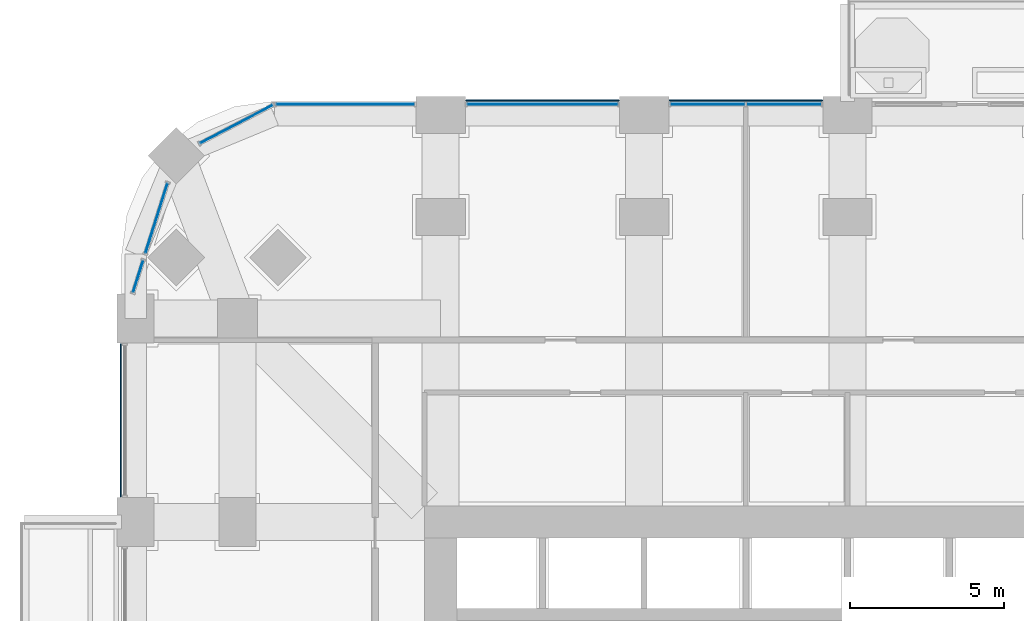
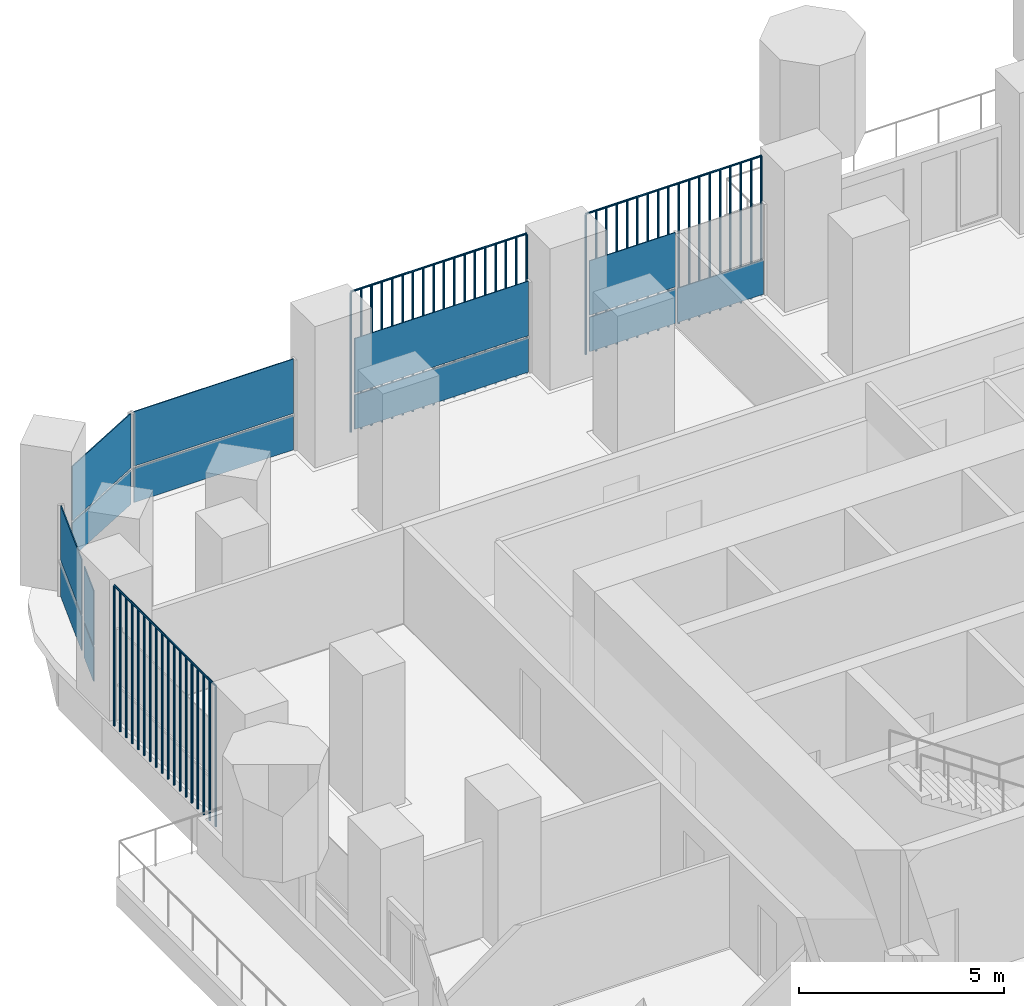
# One storey, part 12 of 22: 16 plates, 6 elements without a shape of their own.
"""IFC4 building model written with IfcOpenShell, lengths in metres."""

from ifc_helpers import new_model, si_unit, direction, frame, origin, origin_2d, place, context, subcontext, project, spatial, polyline, rectangle, outline, extrude, material, layer, layer_set, type_object, element, aggregate, save


model = new_model("IFC4")

# Units and contexts
model_context = context("Model", 3, precision=1e-05, world=origin(), true_north=direction((0.0, 1.0)))
body_context = subcontext(model_context, "Body", "Model", "MODEL_VIEW")
ifc_project = project(units=[si_unit("LENGTHUNIT", "METRE"), si_unit("AREAUNIT", "SQUARE_METRE"), si_unit("VOLUMEUNIT", "CUBIC_METRE"), si_unit("PLANEANGLEUNIT", "RADIAN"), si_unit("MASSUNIT", "GRAM", prefix="KILO")], contexts=[model_context])

# Site, building, storey
site_placement = place(None, origin())
site = spatial("IfcSite", under=ifc_project, at=site_placement, CompositionType="ELEMENT")
building_placement = place(site_placement, origin())
building = spatial("IfcBuilding", under=site, at=building_placement, Name="Cobogo Forest Laboratory Tower", CompositionType="ELEMENT")
storey_placement = place(building_placement, frame((0.0, 0.0, 94.800048828125)))
storey = spatial("IfcBuildingStorey", under=building, at=storey_placement, Name="L21", CompositionType="ELEMENT", Elevation=94.800048828125)

# Curtain wall, plates
ifc_material_1 = material(Name="Aluminium curtain wall", Category="aluminium")
curtain_wall_type = type_object("IfcCurtainWallType", Name="CW-1 unitised curtain wall, clear glazing, laboratory floors zones A and B", PredefinedType="USERDEFINED", material=ifc_material_1)
curtain_wall_1_placement = place(storey_placement, origin())
curtain_wall_1 = element("IfcCurtainWall", 1, at=curtain_wall_1_placement, inside=storey, type_object=curtain_wall_type, Name="Curtain wall 21 L21", ObjectType="UNITISED CURTAIN WALL", PredefinedType="USERDEFINED")
ifc_material_2 = material(Name="Clear insulated glass", Category="glass")
ifc_layer = layer(ifc_material_2, 0.028076171875)
ifc_layer_set = layer_set([ifc_layer], Name="GP-1 clear insulated glass unit 28")
plate_type_1 = type_object("IfcPlateType", Name="GP-1 clear insulated glass unit 28", PredefinedType="CURTAIN_PANEL", material=ifc_layer_set)
plate_1_placement = place(storey_placement, frame((24.3349609375, 46.550048828125, 0.0), z_axis=(0.0, 0.0, 1.0), x_axis=(-1.0, 0.0, 0.0)))
plate_1 = element("IfcPlate", 2, at=plate_1_placement, type_object=plate_type_1, Name="CW-1 panel 1.1", PredefinedType="CURTAIN_PANEL", context=body_context, shape_type="SweptSolid", body=[
    extrude(rectangle(XDim=2.409912109375, YDim=0.028076171875, at=origin_2d()), origin(), (0.0, 0.0, 1.0), 1.02001953125),
])
plate_2_placement = place(storey_placement, frame((21.864990234375, 46.550048828125, 0.0), z_axis=(0.0, 0.0, 1.0), x_axis=(-1.0, 0.0, 0.0)))
plate_2 = element("IfcPlate", 3, at=plate_2_placement, type_object=plate_type_1, Name="CW-1 panel 2.1", PredefinedType="CURTAIN_PANEL", context=body_context, shape_type="SweptSolid", body=[
    extrude(rectangle(XDim=2.409912109375, YDim=0.028076171875, at=origin_2d()), origin(), (0.0, 0.0, 1.0), 1.02001953125),
])
plate_3_placement = place(storey_placement, frame((21.864990234375, 46.550048828125, 1.079833984375), z_axis=(0.0, 0.0, 1.0), x_axis=(-1.0, 0.0, 0.0)))
plate_3 = element("IfcPlate", 4, at=plate_3_placement, type_object=plate_type_1, Name="CW-1 panel 2.2", PredefinedType="CURTAIN_PANEL", context=body_context, shape_type="SweptSolid", body=[
    extrude(rectangle(XDim=2.409912109375, YDim=0.028076171875, at=origin_2d()), origin(), (0.0, 0.0, 1.0), 1.6201171875),
])
aggregate(curtain_wall_1, [plate_1, plate_2, plate_3])

curtain_wall_2_placement = place(storey_placement, origin())
curtain_wall_2 = element("IfcCurtainWall", 5, at=curtain_wall_2_placement, inside=storey, type_object=curtain_wall_type, Name="Curtain wall 22 L21", ObjectType="UNITISED CURTAIN WALL", PredefinedType="USERDEFINED")
plate_4_placement = place(storey_placement, frame((16.5, 46.550048828125, 0.0), z_axis=(0.0, 0.0, 1.0), x_axis=(-1.0, 0.0, 0.0)))
plate_4 = element("IfcPlate", 6, at=plate_4_placement, type_object=plate_type_1, Name="CW-1 panel 1.1", PredefinedType="CURTAIN_PANEL", context=body_context, shape_type="SweptSolid", body=[
    extrude(rectangle(XDim=4.8798828125, YDim=0.028076171875, at=origin_2d()), origin(), (0.0, 0.0, 1.0), 1.02001953125),
])
plate_5_placement = place(storey_placement, frame((16.5, 46.550048828125, 1.079833984375), z_axis=(0.0, 0.0, 1.0), x_axis=(-1.0, 0.0, 0.0)))
plate_5 = element("IfcPlate", 7, at=plate_5_placement, type_object=plate_type_1, Name="CW-1 panel 1.2", PredefinedType="CURTAIN_PANEL", context=body_context, shape_type="SweptSolid", body=[
    extrude(rectangle(XDim=4.8798828125, YDim=0.028076171875, at=origin_2d()), origin(), (0.0, 0.0, 1.0), 1.6201171875),
])
aggregate(curtain_wall_2, [plate_4, plate_5])

curtain_wall_3_placement = place(storey_placement, origin())
curtain_wall_3 = element("IfcCurtainWall", 8, at=curtain_wall_3_placement, inside=storey, type_object=curtain_wall_type, Name="Curtain wall 23 L21", ObjectType="UNITISED CURTAIN WALL", PredefinedType="USERDEFINED")
plate_6_placement = place(storey_placement, frame((10.10009765625, 46.550048828125, 0.0), z_axis=(0.0, 0.0, 1.0), x_axis=(-1.0, 0.0, 0.0)))
plate_6 = element("IfcPlate", 9, at=plate_6_placement, type_object=plate_type_1, Name="CW-1 panel 1.1", PredefinedType="CURTAIN_PANEL", context=body_context, shape_type="SweptSolid", body=[
    extrude(rectangle(XDim=4.47998046875, YDim=0.028076171875, at=origin_2d()), origin(), (0.0, 0.0, 1.0), 1.02001953125),
])
plate_7_placement = place(storey_placement, frame((10.10009765625, 46.550048828125, 1.079833984375), z_axis=(0.0, 0.0, 1.0), x_axis=(-1.0, 0.0, 0.0)))
plate_7 = element("IfcPlate", 10, at=plate_7_placement, type_object=plate_type_1, Name="CW-1 panel 1.2", PredefinedType="CURTAIN_PANEL", context=body_context, shape_type="SweptSolid", body=[
    extrude(rectangle(XDim=4.47998046875, YDim=0.028076171875, at=origin_2d()), origin(), (0.0, 0.0, 1.0), 1.6201171875),
])
aggregate(curtain_wall_3, [plate_6, plate_7])

curtain_wall_4_placement = place(storey_placement, origin())
curtain_wall_4 = element("IfcCurtainWall", 11, at=curtain_wall_4_placement, inside=storey, type_object=curtain_wall_type, Name="Curtain wall 24 L21", ObjectType="UNITISED CURTAIN WALL", PredefinedType="USERDEFINED")
plate_8_placement = place(storey_placement, frame((6.57080078125, 45.90576171875, 0.0), z_axis=(0.0, 0.0, 1.0), x_axis=(-0.885686547075, -0.464283685186, 0.0)))
plate_8 = element("IfcPlate", 12, at=plate_8_placement, type_object=plate_type_1, Name="CW-1 panel 1.1", PredefinedType="CURTAIN_PANEL", context=body_context, shape_type="SweptSolid", body=[
    extrude(rectangle(XDim=2.655517578125, YDim=0.028076171875, at=origin_2d()), origin(), (0.0, 0.0, 1.0), 1.02001953125),
])
plate_9_placement = place(storey_placement, frame((6.57080078125, 45.90576171875, 1.079833984375), z_axis=(0.0, 0.0, 1.0), x_axis=(-0.885686547075, -0.464283685186, 0.0)))
plate_9 = element("IfcPlate", 13, at=plate_9_placement, type_object=plate_type_1, Name="CW-1 panel 1.2", PredefinedType="CURTAIN_PANEL", context=body_context, shape_type="SweptSolid", body=[
    extrude(rectangle(XDim=2.655517578125, YDim=0.028076171875, at=origin_2d()), origin(), (0.0, 0.0, 1.0), 1.6201171875),
])
aggregate(curtain_wall_4, [plate_8, plate_9])

curtain_wall_5_placement = place(storey_placement, origin())
curtain_wall_5 = element("IfcCurtainWall", 14, at=curtain_wall_5_placement, inside=storey, type_object=curtain_wall_type, Name="Curtain wall 25 L21", ObjectType="UNITISED CURTAIN WALL", PredefinedType="USERDEFINED")
plate_10_placement = place(storey_placement, frame((3.978759765625, 42.857421875, 0.0), z_axis=(0.0, 0.0, 1.0), x_axis=(-0.301135291996, -0.953581425949, 0.0)))
plate_10 = element("IfcPlate", 15, at=plate_10_placement, type_object=plate_type_1, Name="CW-1 panel 1.1", PredefinedType="CURTAIN_PANEL", context=body_context, shape_type="SweptSolid", body=[
    extrude(rectangle(XDim=2.3681640625, YDim=0.028076171875, at=origin_2d()), origin(), (0.0, 0.0, 1.0), 1.02001953125),
])
plate_11_placement = place(storey_placement, frame((3.978759765625, 42.857421875, 1.079833984375), z_axis=(0.0, 0.0, 1.0), x_axis=(-0.301135291996, -0.953581425949, 0.0)))
plate_11 = element("IfcPlate", 16, at=plate_11_placement, type_object=plate_type_1, Name="CW-1 panel 1.2", PredefinedType="CURTAIN_PANEL", context=body_context, shape_type="SweptSolid", body=[
    extrude(rectangle(XDim=2.3681640625, YDim=0.028076171875, at=origin_2d()), origin(), (0.0, 0.0, 1.0), 1.6201171875),
])
aggregate(curtain_wall_5, [plate_10, plate_11])

curtain_wall_6_placement = place(storey_placement, origin())
curtain_wall_6 = element("IfcCurtainWall", 17, at=curtain_wall_6_placement, inside=storey, type_object=curtain_wall_type, Name="Curtain wall 26 L21", ObjectType="UNITISED CURTAIN WALL", PredefinedType="USERDEFINED")
plate_12_placement = place(storey_placement, frame((3.3818359375, 40.9677734375, 0.0), z_axis=(0.0, 0.0, 1.0), x_axis=(-0.301135667865, -0.953581307252, 0.0)))
plate_12 = element("IfcPlate", 18, at=plate_12_placement, type_object=plate_type_1, Name="CW-1 panel 1.1", PredefinedType="CURTAIN_PANEL", context=body_context, shape_type="SweptSolid", body=[
    extrude(rectangle(XDim=1.071044921875, YDim=0.028076171875, at=origin_2d()), origin(), (0.0, 0.0, 1.0), 1.02001953125),
])
plate_13_placement = place(storey_placement, frame((3.3818359375, 40.9677734375, 1.079833984375), z_axis=(0.0, 0.0, 1.0), x_axis=(-0.301135667865, -0.953581307252, 0.0)))
plate_13 = element("IfcPlate", 19, at=plate_13_placement, type_object=plate_type_1, Name="CW-1 panel 1.2", PredefinedType="CURTAIN_PANEL", context=body_context, shape_type="SweptSolid", body=[
    extrude(rectangle(XDim=1.071044921875, YDim=0.028076171875, at=origin_2d()), origin(), (0.0, 0.0, 1.0), 1.6201171875),
])
aggregate(curtain_wall_6, [plate_12, plate_13])

# Plates
ifc_material_3 = material(Name="Terracotta", Category="masonry")
plate_type_2 = type_object("IfcPlateType", Name="TB1 terracotta baguette screen", PredefinedType="USERDEFINED", material=ifc_material_3)
plate_14_placement = place(storey_placement, frame((14.03125, 46.677978515625, -0.150146484375)))
element("IfcPlate", 20, at=plate_14_placement, inside=storey, type_object=plate_type_2, Name="Baguette screen N1 L21", ObjectType="BAGUETTE SCREEN", PredefinedType="USERDEFINED", context=body_context, shape_type="SweptSolid", body=[
    extrude(outline(polyline([(0.02880859375, 0.011962890625), (0.011962890625, 0.02880859375), (-0.011962890625, 0.02880859375), (-0.02880859375, 0.011962890625), (-0.02880859375, -0.011962890625), (-0.011962890625, -0.02880859375), (0.011962890625, -0.02880859375), (0.02880859375, -0.011962890625), (0.02880859375, 0.011962890625)])), frame((0.0, 0.0, 4.168701171875), z_axis=(1.0, 0.0, 0.0), x_axis=(0.0, 1.0, 0.0)), (0.0, 0.0, 1.0), 4.9375),
    extrude(outline(polyline([(0.02880859375, 0.011962890625), (0.011962890625, 0.02880859375), (-0.011962890625, 0.02880859375), (-0.02880859375, 0.011962890625), (-0.02880859375, -0.011962890625), (-0.011962890625, -0.02880859375), (0.011962890625, -0.02880859375), (0.02880859375, -0.011962890625), (0.02880859375, 0.011962890625)])), origin(), (0.0, 0.0, 1.0), 4.137451171875),
    extrude(outline(polyline([(0.02880859375, 0.011962890625), (0.011962890625, 0.02880859375), (-0.011962890625, 0.02880859375), (-0.02880859375, 0.011962890625), (-0.02880859375, -0.011962890625), (-0.011962890625, -0.02880859375), (0.011962890625, -0.02880859375), (0.02880859375, -0.011962890625), (0.02880859375, 0.011962890625)])), frame((0.29052734375, 0.0, 0.0)), (0.0, 0.0, 1.0), 4.137451171875),
    extrude(outline(polyline([(0.02880859375, 0.011962890625), (0.011962890625, 0.02880859375), (-0.011962890625, 0.02880859375), (-0.02880859375, 0.011962890625), (-0.02880859375, -0.011962890625), (-0.011962890625, -0.02880859375), (0.011962890625, -0.02880859375), (0.02880859375, -0.011962890625), (0.02880859375, 0.011962890625)])), frame((0.580810546875, 0.0, 0.0)), (0.0, 0.0, 1.0), 4.137451171875),
    extrude(outline(polyline([(0.02880859375, 0.011962890625), (0.011962890625, 0.02880859375), (-0.011962890625, 0.02880859375), (-0.02880859375, 0.011962890625), (-0.02880859375, -0.011962890625), (-0.011962890625, -0.02880859375), (0.011962890625, -0.02880859375), (0.02880859375, -0.011962890625), (0.02880859375, 0.011962890625)])), frame((0.871337890625, 0.0, 0.0)), (0.0, 0.0, 1.0), 4.137451171875),
    extrude(outline(polyline([(0.02880859375, 0.011962890625), (0.011962890625, 0.02880859375), (-0.011962890625, 0.02880859375), (-0.02880859375, 0.011962890625), (-0.02880859375, -0.011962890625), (-0.011962890625, -0.02880859375), (0.011962890625, -0.02880859375), (0.02880859375, -0.011962890625), (0.02880859375, 0.011962890625)])), frame((1.161865234375, 0.0, 0.0)), (0.0, 0.0, 1.0), 4.137451171875),
    extrude(outline(polyline([(0.02880859375, 0.011962890625), (0.011962890625, 0.02880859375), (-0.011962890625, 0.02880859375), (-0.02880859375, 0.011962890625), (-0.02880859375, -0.011962890625), (-0.011962890625, -0.02880859375), (0.011962890625, -0.02880859375), (0.02880859375, -0.011962890625), (0.02880859375, 0.011962890625)])), frame((1.4521484375, 0.0, 0.0)), (0.0, 0.0, 1.0), 4.137451171875),
    extrude(outline(polyline([(0.02880859375, 0.011962890625), (0.011962890625, 0.02880859375), (-0.011962890625, 0.02880859375), (-0.02880859375, 0.011962890625), (-0.02880859375, -0.011962890625), (-0.011962890625, -0.02880859375), (0.011962890625, -0.02880859375), (0.02880859375, -0.011962890625), (0.02880859375, 0.011962890625)])), frame((1.74267578125, 0.0, 0.0)), (0.0, 0.0, 1.0), 4.137451171875),
    extrude(outline(polyline([(0.02880859375, 0.011962890625), (0.011962890625, 0.02880859375), (-0.011962890625, 0.02880859375), (-0.02880859375, 0.011962890625), (-0.02880859375, -0.011962890625), (-0.011962890625, -0.02880859375), (0.011962890625, -0.02880859375), (0.02880859375, -0.011962890625), (0.02880859375, 0.011962890625)])), frame((2.033203125, 0.0, 0.0)), (0.0, 0.0, 1.0), 4.137451171875),
    extrude(outline(polyline([(0.02880859375, 0.011962890625), (0.011962890625, 0.02880859375), (-0.011962890625, 0.02880859375), (-0.02880859375, 0.011962890625), (-0.02880859375, -0.011962890625), (-0.011962890625, -0.02880859375), (0.011962890625, -0.02880859375), (0.02880859375, -0.011962890625), (0.02880859375, 0.011962890625)])), frame((2.323486328125, 0.0, 0.0)), (0.0, 0.0, 1.0), 4.137451171875),
    extrude(outline(polyline([(0.02880859375, 0.011962890625), (0.011962890625, 0.02880859375), (-0.011962890625, 0.02880859375), (-0.02880859375, 0.011962890625), (-0.02880859375, -0.011962890625), (-0.011962890625, -0.02880859375), (0.011962890625, -0.02880859375), (0.02880859375, -0.011962890625), (0.02880859375, 0.011962890625)])), frame((2.614013671875, 0.0, 0.0)), (0.0, 0.0, 1.0), 4.137451171875),
    extrude(outline(polyline([(0.02880859375, 0.011962890625), (0.011962890625, 0.02880859375), (-0.011962890625, 0.02880859375), (-0.02880859375, 0.011962890625), (-0.02880859375, -0.011962890625), (-0.011962890625, -0.02880859375), (0.011962890625, -0.02880859375), (0.02880859375, -0.011962890625), (0.02880859375, 0.011962890625)])), frame((2.904296875, 0.0, 0.0)), (0.0, 0.0, 1.0), 4.137451171875),
    extrude(outline(polyline([(0.02880859375, 0.011962890625), (0.011962890625, 0.02880859375), (-0.011962890625, 0.02880859375), (-0.02880859375, 0.011962890625), (-0.02880859375, -0.011962890625), (-0.011962890625, -0.02880859375), (0.011962890625, -0.02880859375), (0.02880859375, -0.011962890625), (0.02880859375, 0.011962890625)])), frame((3.19482421875, 0.0, 0.0)), (0.0, 0.0, 1.0), 4.137451171875),
    extrude(outline(polyline([(0.02880859375, 0.011962890625), (0.011962890625, 0.02880859375), (-0.011962890625, 0.02880859375), (-0.02880859375, 0.011962890625), (-0.02880859375, -0.011962890625), (-0.011962890625, -0.02880859375), (0.011962890625, -0.02880859375), (0.02880859375, -0.011962890625), (0.02880859375, 0.011962890625)])), frame((3.4853515625, 0.0, 0.0)), (0.0, 0.0, 1.0), 4.137451171875),
    extrude(outline(polyline([(0.02880859375, 0.011962890625), (0.011962890625, 0.02880859375), (-0.011962890625, 0.02880859375), (-0.02880859375, 0.011962890625), (-0.02880859375, -0.011962890625), (-0.011962890625, -0.02880859375), (0.011962890625, -0.02880859375), (0.02880859375, -0.011962890625), (0.02880859375, 0.011962890625)])), frame((3.775634765625, 0.0, 0.0)), (0.0, 0.0, 1.0), 4.137451171875),
    extrude(outline(polyline([(0.02880859375, 0.011962890625), (0.011962890625, 0.02880859375), (-0.011962890625, 0.02880859375), (-0.02880859375, 0.011962890625), (-0.02880859375, -0.011962890625), (-0.011962890625, -0.02880859375), (0.011962890625, -0.02880859375), (0.02880859375, -0.011962890625), (0.02880859375, 0.011962890625)])), frame((4.066162109375, 0.0, 0.0)), (0.0, 0.0, 1.0), 4.137451171875),
    extrude(outline(polyline([(0.02880859375, 0.011962890625), (0.011962890625, 0.02880859375), (-0.011962890625, 0.02880859375), (-0.02880859375, 0.011962890625), (-0.02880859375, -0.011962890625), (-0.011962890625, -0.02880859375), (0.011962890625, -0.02880859375), (0.02880859375, -0.011962890625), (0.02880859375, 0.011962890625)])), frame((4.356689453125, 0.0, 0.0)), (0.0, 0.0, 1.0), 4.137451171875),
    extrude(outline(polyline([(0.02880859375, 0.011962890625), (0.011962890625, 0.02880859375), (-0.011962890625, 0.02880859375), (-0.02880859375, 0.011962890625), (-0.02880859375, -0.011962890625), (-0.011962890625, -0.02880859375), (0.011962890625, -0.02880859375), (0.02880859375, -0.011962890625), (0.02880859375, 0.011962890625)])), frame((4.64697265625, 0.0, 0.0)), (0.0, 0.0, 1.0), 4.137451171875),
    extrude(outline(polyline([(0.02880859375, 0.011962890625), (0.011962890625, 0.02880859375), (-0.011962890625, 0.02880859375), (-0.02880859375, 0.011962890625), (-0.02880859375, -0.011962890625), (-0.011962890625, -0.02880859375), (0.011962890625, -0.02880859375), (0.02880859375, -0.011962890625), (0.02880859375, 0.011962890625)])), frame((4.9375, 0.0, 0.0)), (0.0, 0.0, 1.0), 4.137451171875),
])
plate_15_placement = place(storey_placement, frame((20.63134765625, 46.677978515625, -0.150146484375)))
element("IfcPlate", 21, at=plate_15_placement, inside=storey, type_object=plate_type_2, Name="Baguette screen N2 L21", ObjectType="BAGUETTE SCREEN", PredefinedType="USERDEFINED", context=body_context, shape_type="SweptSolid", body=[
    extrude(outline(polyline([(0.02880859375, 0.011962890625), (0.011962890625, 0.02880859375), (-0.011962890625, 0.02880859375), (-0.02880859375, 0.011962890625), (-0.02880859375, -0.011962890625), (-0.011962890625, -0.02880859375), (0.011962890625, -0.02880859375), (0.02880859375, -0.011962890625), (0.02880859375, 0.011962890625)])), frame((0.0, 0.0, 4.168701171875), z_axis=(1.0, 0.0, 0.0), x_axis=(0.0, 1.0, 0.0)), (0.0, 0.0, 1.0), 4.9375),
    extrude(outline(polyline([(0.02880859375, 0.011962890625), (0.011962890625, 0.02880859375), (-0.011962890625, 0.02880859375), (-0.02880859375, 0.011962890625), (-0.02880859375, -0.011962890625), (-0.011962890625, -0.02880859375), (0.011962890625, -0.02880859375), (0.02880859375, -0.011962890625), (0.02880859375, 0.011962890625)])), origin(), (0.0, 0.0, 1.0), 4.137451171875),
    extrude(outline(polyline([(0.02880859375, 0.011962890625), (0.011962890625, 0.02880859375), (-0.011962890625, 0.02880859375), (-0.02880859375, 0.011962890625), (-0.02880859375, -0.011962890625), (-0.011962890625, -0.02880859375), (0.011962890625, -0.02880859375), (0.02880859375, -0.011962890625), (0.02880859375, 0.011962890625)])), frame((0.29052734375, 0.0, 0.0)), (0.0, 0.0, 1.0), 4.137451171875),
    extrude(outline(polyline([(0.02880859375, 0.011962890625), (0.011962890625, 0.02880859375), (-0.011962890625, 0.02880859375), (-0.02880859375, 0.011962890625), (-0.02880859375, -0.011962890625), (-0.011962890625, -0.02880859375), (0.011962890625, -0.02880859375), (0.02880859375, -0.011962890625), (0.02880859375, 0.011962890625)])), frame((0.580810546875, 0.0, 0.0)), (0.0, 0.0, 1.0), 4.137451171875),
    extrude(outline(polyline([(0.02880859375, 0.011962890625), (0.011962890625, 0.02880859375), (-0.011962890625, 0.02880859375), (-0.02880859375, 0.011962890625), (-0.02880859375, -0.011962890625), (-0.011962890625, -0.02880859375), (0.011962890625, -0.02880859375), (0.02880859375, -0.011962890625), (0.02880859375, 0.011962890625)])), frame((0.871337890625, 0.0, 0.0)), (0.0, 0.0, 1.0), 4.137451171875),
    extrude(outline(polyline([(0.02880859375, 0.011962890625), (0.011962890625, 0.02880859375), (-0.011962890625, 0.02880859375), (-0.02880859375, 0.011962890625), (-0.02880859375, -0.011962890625), (-0.011962890625, -0.02880859375), (0.011962890625, -0.02880859375), (0.02880859375, -0.011962890625), (0.02880859375, 0.011962890625)])), frame((1.161865234375, 0.0, 0.0)), (0.0, 0.0, 1.0), 4.137451171875),
    extrude(outline(polyline([(0.02880859375, 0.011962890625), (0.011962890625, 0.02880859375), (-0.011962890625, 0.02880859375), (-0.02880859375, 0.011962890625), (-0.02880859375, -0.011962890625), (-0.011962890625, -0.02880859375), (0.011962890625, -0.02880859375), (0.02880859375, -0.011962890625), (0.02880859375, 0.011962890625)])), frame((1.4521484375, 0.0, 0.0)), (0.0, 0.0, 1.0), 4.137451171875),
    extrude(outline(polyline([(0.02880859375, 0.011962890625), (0.011962890625, 0.02880859375), (-0.011962890625, 0.02880859375), (-0.02880859375, 0.011962890625), (-0.02880859375, -0.011962890625), (-0.011962890625, -0.02880859375), (0.011962890625, -0.02880859375), (0.02880859375, -0.011962890625), (0.02880859375, 0.011962890625)])), frame((1.74267578125, 0.0, 0.0)), (0.0, 0.0, 1.0), 4.137451171875),
    extrude(outline(polyline([(0.02880859375, 0.011962890625), (0.011962890625, 0.02880859375), (-0.011962890625, 0.02880859375), (-0.02880859375, 0.011962890625), (-0.02880859375, -0.011962890625), (-0.011962890625, -0.02880859375), (0.011962890625, -0.02880859375), (0.02880859375, -0.011962890625), (0.02880859375, 0.011962890625)])), frame((2.033203125, 0.0, 0.0)), (0.0, 0.0, 1.0), 4.137451171875),
    extrude(outline(polyline([(0.02880859375, 0.011962890625), (0.011962890625, 0.02880859375), (-0.011962890625, 0.02880859375), (-0.02880859375, 0.011962890625), (-0.02880859375, -0.011962890625), (-0.011962890625, -0.02880859375), (0.011962890625, -0.02880859375), (0.02880859375, -0.011962890625), (0.02880859375, 0.011962890625)])), frame((2.323486328125, 0.0, 0.0)), (0.0, 0.0, 1.0), 4.137451171875),
    extrude(outline(polyline([(0.02880859375, 0.011962890625), (0.011962890625, 0.02880859375), (-0.011962890625, 0.02880859375), (-0.02880859375, 0.011962890625), (-0.02880859375, -0.011962890625), (-0.011962890625, -0.02880859375), (0.011962890625, -0.02880859375), (0.02880859375, -0.011962890625), (0.02880859375, 0.011962890625)])), frame((2.614013671875, 0.0, 0.0)), (0.0, 0.0, 1.0), 4.137451171875),
    extrude(outline(polyline([(0.02880859375, 0.011962890625), (0.011962890625, 0.02880859375), (-0.011962890625, 0.02880859375), (-0.02880859375, 0.011962890625), (-0.02880859375, -0.011962890625), (-0.011962890625, -0.02880859375), (0.011962890625, -0.02880859375), (0.02880859375, -0.011962890625), (0.02880859375, 0.011962890625)])), frame((2.904296875, 0.0, 0.0)), (0.0, 0.0, 1.0), 4.137451171875),
    extrude(outline(polyline([(0.02880859375, 0.011962890625), (0.011962890625, 0.02880859375), (-0.011962890625, 0.02880859375), (-0.02880859375, 0.011962890625), (-0.02880859375, -0.011962890625), (-0.011962890625, -0.02880859375), (0.011962890625, -0.02880859375), (0.02880859375, -0.011962890625), (0.02880859375, 0.011962890625)])), frame((3.19482421875, 0.0, 0.0)), (0.0, 0.0, 1.0), 4.137451171875),
    extrude(outline(polyline([(0.02880859375, 0.011962890625), (0.011962890625, 0.02880859375), (-0.011962890625, 0.02880859375), (-0.02880859375, 0.011962890625), (-0.02880859375, -0.011962890625), (-0.011962890625, -0.02880859375), (0.011962890625, -0.02880859375), (0.02880859375, -0.011962890625), (0.02880859375, 0.011962890625)])), frame((3.4853515625, 0.0, 0.0)), (0.0, 0.0, 1.0), 4.137451171875),
    extrude(outline(polyline([(0.02880859375, 0.011962890625), (0.011962890625, 0.02880859375), (-0.011962890625, 0.02880859375), (-0.02880859375, 0.011962890625), (-0.02880859375, -0.011962890625), (-0.011962890625, -0.02880859375), (0.011962890625, -0.02880859375), (0.02880859375, -0.011962890625), (0.02880859375, 0.011962890625)])), frame((3.775634765625, 0.0, 0.0)), (0.0, 0.0, 1.0), 4.137451171875),
    extrude(outline(polyline([(0.02880859375, 0.011962890625), (0.011962890625, 0.02880859375), (-0.011962890625, 0.02880859375), (-0.02880859375, 0.011962890625), (-0.02880859375, -0.011962890625), (-0.011962890625, -0.02880859375), (0.011962890625, -0.02880859375), (0.02880859375, -0.011962890625), (0.02880859375, 0.011962890625)])), frame((4.066162109375, 0.0, 0.0)), (0.0, 0.0, 1.0), 4.137451171875),
    extrude(outline(polyline([(0.02880859375, 0.011962890625), (0.011962890625, 0.02880859375), (-0.011962890625, 0.02880859375), (-0.02880859375, 0.011962890625), (-0.02880859375, -0.011962890625), (-0.011962890625, -0.02880859375), (0.011962890625, -0.02880859375), (0.02880859375, -0.011962890625), (0.02880859375, 0.011962890625)])), frame((4.356689453125, 0.0, 0.0)), (0.0, 0.0, 1.0), 4.137451171875),
    extrude(outline(polyline([(0.02880859375, 0.011962890625), (0.011962890625, 0.02880859375), (-0.011962890625, 0.02880859375), (-0.02880859375, 0.011962890625), (-0.02880859375, -0.011962890625), (-0.011962890625, -0.02880859375), (0.011962890625, -0.02880859375), (0.02880859375, -0.011962890625), (0.02880859375, 0.011962890625)])), frame((4.64697265625, 0.0, 0.0)), (0.0, 0.0, 1.0), 4.137451171875),
    extrude(outline(polyline([(0.02880859375, 0.011962890625), (0.011962890625, 0.02880859375), (-0.011962890625, 0.02880859375), (-0.02880859375, 0.011962890625), (-0.02880859375, -0.011962890625), (-0.011962890625, -0.02880859375), (0.011962890625, -0.02880859375), (0.02880859375, -0.011962890625), (0.02880859375, 0.011962890625)])), frame((4.9375, 0.0, 0.0)), (0.0, 0.0, 1.0), 4.137451171875),
])
plate_16_placement = place(storey_placement, frame((2.822021484375, 33.831298828125, -0.150146484375)))
element("IfcPlate", 22, at=plate_16_placement, inside=storey, type_object=plate_type_2, Name="Baguette screen W5 L21", ObjectType="BAGUETTE SCREEN", PredefinedType="USERDEFINED", context=body_context, shape_type="SweptSolid", body=[
    extrude(outline(polyline([(0.02880859375, 0.011962890625), (0.011962890625, 0.02880859375), (-0.011962890625, 0.02880859375), (-0.02880859375, 0.011962890625), (-0.02880859375, -0.011962890625), (-0.011962890625, -0.02880859375), (0.011962890625, -0.02880859375), (0.02880859375, -0.011962890625), (0.02880859375, 0.011962890625)])), frame((0.0, 0.0, 4.168701171875), z_axis=(0.0, 1.0, 0.0), x_axis=(-1.0, 0.0, 0.0)), (0.0, 0.0, 1.0), 4.9375),
    extrude(outline(polyline([(0.02880859375, 0.011962890625), (0.011962890625, 0.02880859375), (-0.011962890625, 0.02880859375), (-0.02880859375, 0.011962890625), (-0.02880859375, -0.011962890625), (-0.011962890625, -0.02880859375), (0.011962890625, -0.02880859375), (0.02880859375, -0.011962890625), (0.02880859375, 0.011962890625)])), origin(), (0.0, 0.0, 1.0), 4.137451171875),
    extrude(outline(polyline([(0.02880859375, 0.011962890625), (0.011962890625, 0.02880859375), (-0.011962890625, 0.02880859375), (-0.02880859375, 0.011962890625), (-0.02880859375, -0.011962890625), (-0.011962890625, -0.02880859375), (0.011962890625, -0.02880859375), (0.02880859375, -0.011962890625), (0.02880859375, 0.011962890625)])), frame((0.0, 0.29052734375, 0.0)), (0.0, 0.0, 1.0), 4.137451171875),
    extrude(outline(polyline([(0.02880859375, 0.011962890625), (0.011962890625, 0.02880859375), (-0.011962890625, 0.02880859375), (-0.02880859375, 0.011962890625), (-0.02880859375, -0.011962890625), (-0.011962890625, -0.02880859375), (0.011962890625, -0.02880859375), (0.02880859375, -0.011962890625), (0.02880859375, 0.011962890625)])), frame((0.0, 0.580810546875, 0.0)), (0.0, 0.0, 1.0), 4.137451171875),
    extrude(outline(polyline([(0.02880859375, 0.011962890625), (0.011962890625, 0.02880859375), (-0.011962890625, 0.02880859375), (-0.02880859375, 0.011962890625), (-0.02880859375, -0.011962890625), (-0.011962890625, -0.02880859375), (0.011962890625, -0.02880859375), (0.02880859375, -0.011962890625), (0.02880859375, 0.011962890625)])), frame((0.0, 0.871337890625, 0.0)), (0.0, 0.0, 1.0), 4.137451171875),
    extrude(outline(polyline([(0.02880859375, 0.011962890625), (0.011962890625, 0.02880859375), (-0.011962890625, 0.02880859375), (-0.02880859375, 0.011962890625), (-0.02880859375, -0.011962890625), (-0.011962890625, -0.02880859375), (0.011962890625, -0.02880859375), (0.02880859375, -0.011962890625), (0.02880859375, 0.011962890625)])), frame((0.0, 1.161865234375, 0.0)), (0.0, 0.0, 1.0), 4.137451171875),
    extrude(outline(polyline([(0.02880859375, 0.011962890625), (0.011962890625, 0.02880859375), (-0.011962890625, 0.02880859375), (-0.02880859375, 0.011962890625), (-0.02880859375, -0.011962890625), (-0.011962890625, -0.02880859375), (0.011962890625, -0.02880859375), (0.02880859375, -0.011962890625), (0.02880859375, 0.011962890625)])), frame((0.0, 1.4521484375, 0.0)), (0.0, 0.0, 1.0), 4.137451171875),
    extrude(outline(polyline([(0.02880859375, 0.011962890625), (0.011962890625, 0.02880859375), (-0.011962890625, 0.02880859375), (-0.02880859375, 0.011962890625), (-0.02880859375, -0.011962890625), (-0.011962890625, -0.02880859375), (0.011962890625, -0.02880859375), (0.02880859375, -0.011962890625), (0.02880859375, 0.011962890625)])), frame((0.0, 1.74267578125, 0.0)), (0.0, 0.0, 1.0), 4.137451171875),
    extrude(outline(polyline([(0.02880859375, 0.011962890625), (0.011962890625, 0.02880859375), (-0.011962890625, 0.02880859375), (-0.02880859375, 0.011962890625), (-0.02880859375, -0.011962890625), (-0.011962890625, -0.02880859375), (0.011962890625, -0.02880859375), (0.02880859375, -0.011962890625), (0.02880859375, 0.011962890625)])), frame((0.0, 2.033203125, 0.0)), (0.0, 0.0, 1.0), 4.137451171875),
    extrude(outline(polyline([(0.02880859375, 0.011962890625), (0.011962890625, 0.02880859375), (-0.011962890625, 0.02880859375), (-0.02880859375, 0.011962890625), (-0.02880859375, -0.011962890625), (-0.011962890625, -0.02880859375), (0.011962890625, -0.02880859375), (0.02880859375, -0.011962890625), (0.02880859375, 0.011962890625)])), frame((0.0, 2.323486328125, 0.0)), (0.0, 0.0, 1.0), 4.137451171875),
    extrude(outline(polyline([(0.02880859375, 0.011962890625), (0.011962890625, 0.02880859375), (-0.011962890625, 0.02880859375), (-0.02880859375, 0.011962890625), (-0.02880859375, -0.011962890625), (-0.011962890625, -0.02880859375), (0.011962890625, -0.02880859375), (0.02880859375, -0.011962890625), (0.02880859375, 0.011962890625)])), frame((0.0, 2.614013671875, 0.0)), (0.0, 0.0, 1.0), 4.137451171875),
    extrude(outline(polyline([(0.02880859375, 0.011962890625), (0.011962890625, 0.02880859375), (-0.011962890625, 0.02880859375), (-0.02880859375, 0.011962890625), (-0.02880859375, -0.011962890625), (-0.011962890625, -0.02880859375), (0.011962890625, -0.02880859375), (0.02880859375, -0.011962890625), (0.02880859375, 0.011962890625)])), frame((0.0, 2.904296875, 0.0)), (0.0, 0.0, 1.0), 4.137451171875),
    extrude(outline(polyline([(0.02880859375, 0.011962890625), (0.011962890625, 0.02880859375), (-0.011962890625, 0.02880859375), (-0.02880859375, 0.011962890625), (-0.02880859375, -0.011962890625), (-0.011962890625, -0.02880859375), (0.011962890625, -0.02880859375), (0.02880859375, -0.011962890625), (0.02880859375, 0.011962890625)])), frame((0.0, 3.19482421875, 0.0)), (0.0, 0.0, 1.0), 4.137451171875),
    extrude(outline(polyline([(0.02880859375, 0.011962890625), (0.011962890625, 0.02880859375), (-0.011962890625, 0.02880859375), (-0.02880859375, 0.011962890625), (-0.02880859375, -0.011962890625), (-0.011962890625, -0.02880859375), (0.011962890625, -0.02880859375), (0.02880859375, -0.011962890625), (0.02880859375, 0.011962890625)])), frame((0.0, 3.4853515625, 0.0)), (0.0, 0.0, 1.0), 4.137451171875),
    extrude(outline(polyline([(0.02880859375, 0.011962890625), (0.011962890625, 0.02880859375), (-0.011962890625, 0.02880859375), (-0.02880859375, 0.011962890625), (-0.02880859375, -0.011962890625), (-0.011962890625, -0.02880859375), (0.011962890625, -0.02880859375), (0.02880859375, -0.011962890625), (0.02880859375, 0.011962890625)])), frame((0.0, 3.775634765625, 0.0)), (0.0, 0.0, 1.0), 4.137451171875),
    extrude(outline(polyline([(0.02880859375, 0.011962890625), (0.011962890625, 0.02880859375), (-0.011962890625, 0.02880859375), (-0.02880859375, 0.011962890625), (-0.02880859375, -0.011962890625), (-0.011962890625, -0.02880859375), (0.011962890625, -0.02880859375), (0.02880859375, -0.011962890625), (0.02880859375, 0.011962890625)])), frame((0.0, 4.066162109375, 0.0)), (0.0, 0.0, 1.0), 4.137451171875),
    extrude(outline(polyline([(0.02880859375, 0.011962890625), (0.011962890625, 0.02880859375), (-0.011962890625, 0.02880859375), (-0.02880859375, 0.011962890625), (-0.02880859375, -0.011962890625), (-0.011962890625, -0.02880859375), (0.011962890625, -0.02880859375), (0.02880859375, -0.011962890625), (0.02880859375, 0.011962890625)])), frame((0.0, 4.356689453125, 0.0)), (0.0, 0.0, 1.0), 4.137451171875),
    extrude(outline(polyline([(0.02880859375, 0.011962890625), (0.011962890625, 0.02880859375), (-0.011962890625, 0.02880859375), (-0.02880859375, 0.011962890625), (-0.02880859375, -0.011962890625), (-0.011962890625, -0.02880859375), (0.011962890625, -0.02880859375), (0.02880859375, -0.011962890625), (0.02880859375, 0.011962890625)])), frame((0.0, 4.64697265625, 0.0)), (0.0, 0.0, 1.0), 4.137451171875),
    extrude(outline(polyline([(0.02880859375, 0.011962890625), (0.011962890625, 0.02880859375), (-0.011962890625, 0.02880859375), (-0.02880859375, 0.011962890625), (-0.02880859375, -0.011962890625), (-0.011962890625, -0.02880859375), (0.011962890625, -0.02880859375), (0.02880859375, -0.011962890625), (0.02880859375, 0.011962890625)])), frame((0.0, 4.9375, 0.0)), (0.0, 0.0, 1.0), 4.137451171875),
])

save(model, "model.ifc")
